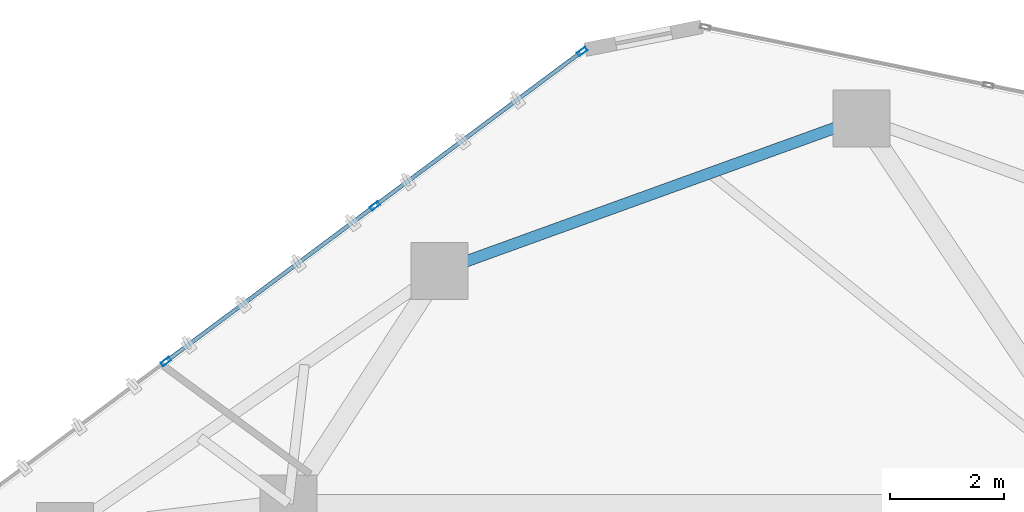
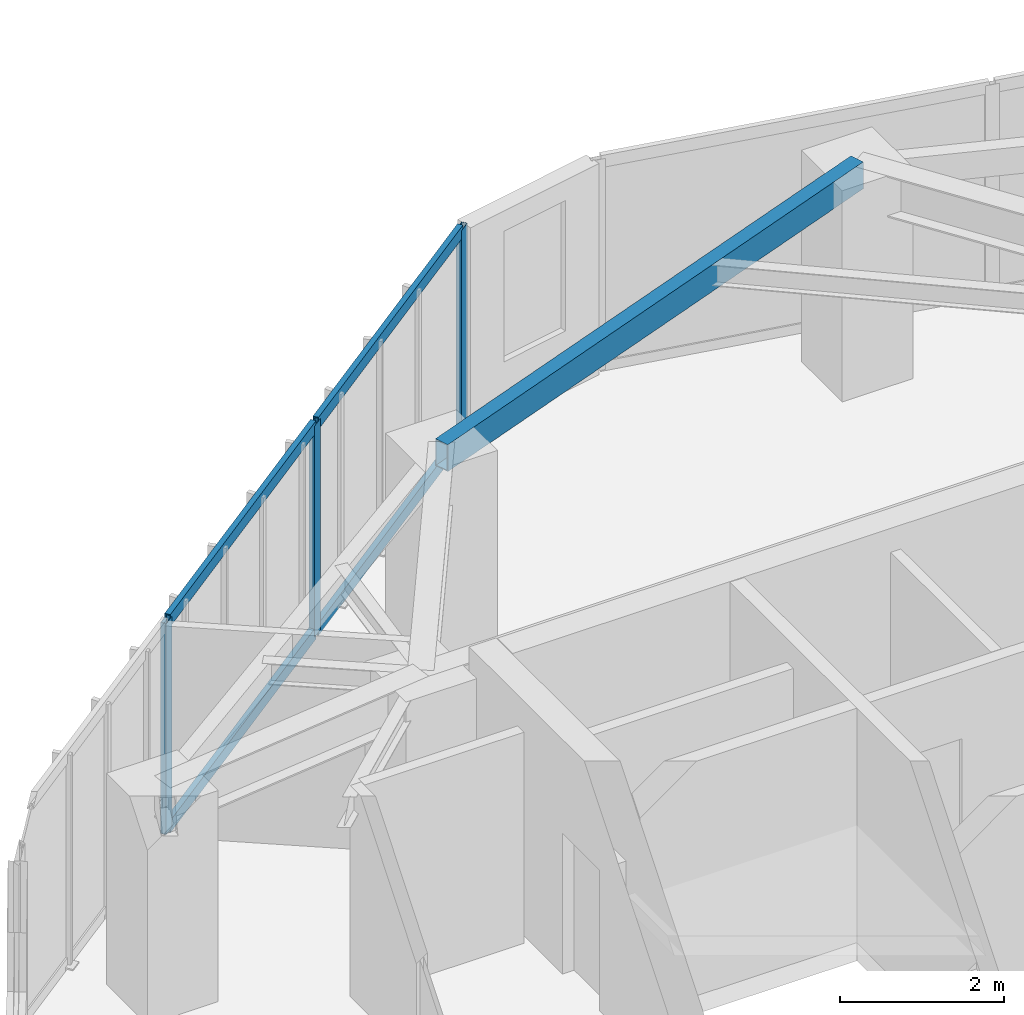
# One storey, part 13 of 20: 7 members, 1 beam, 1 element without a shape of its own.
"""IFC4 building model written with IfcOpenShell, lengths in metres."""

from ifc_helpers import new_model, si_unit, direction, frame, origin, origin_2d, place, context, subcontext, project, spatial, hollow_rectangle, extrude, source, transform, mapped, material, layer, layer_set, material_profile, profile_set, type_object, type_shapes, element, aggregate, save


model = new_model("IFC4")

# Units and contexts
model_context = context("Model", 3, precision=1e-05, world=origin(), true_north=direction((0.0, 1.0)))
body_context = subcontext(model_context, "Body", "Model", "MODEL_VIEW")
ifc_project = project(units=[si_unit("LENGTHUNIT", "METRE"), si_unit("AREAUNIT", "SQUARE_METRE"), si_unit("VOLUMEUNIT", "CUBIC_METRE"), si_unit("PLANEANGLEUNIT", "RADIAN"), si_unit("MASSUNIT", "GRAM", prefix="KILO")], contexts=[model_context])

# Site, building, storey
site_placement = place(None, origin())
site = spatial("IfcSite", under=ifc_project, at=site_placement, CompositionType="ELEMENT")
building_placement = place(site_placement, origin())
building = spatial("IfcBuilding", under=site, at=building_placement, Name="Talar Marvaseh", CompositionType="ELEMENT")
storey_placement = place(building_placement, frame((0.0, 0.0, 198.5)))
storey = spatial("IfcBuildingStorey", under=building, at=storey_placement, Name="L52", CompositionType="ELEMENT", Elevation=198.5)

# Beam
ifc_material_1 = material(Name="Steel S355", Category="steel")
ifc_material_profile_1 = material_profile(ifc_material_1, hollow_rectangle(XDim=0.199951171875, YDim=0.39990234375, WallThickness=0.013916015625, at=origin_2d()), Name="RHS400x200x14")
ifc_profile_set_1 = profile_set([ifc_material_profile_1], Name="Steel S355")
beam_type = type_object("IfcBeamType", Name="Zone 3 Perimeter Spandrel Beam RHS400x200x14", PredefinedType="SPANDREL", material=ifc_profile_set_1)
beam_placement = place(storey_placement, frame((21.35205078125, 40.986083984375, 2.949951171875), z_axis=(0.940368006783, 0.340158803824, 0.0), x_axis=(-0.340158803824, 0.940368006783, 0.0)))
element("IfcBeam", 1, at=beam_placement, inside=storey, type_object=beam_type, Name="L52 Zone 3 Perimeter Spandrel Beam RHS400x200x14", PredefinedType="SPANDREL", context=body_context, shape_type="SweptSolid", body=[
    extrude(hollow_rectangle(XDim=0.199951171875, YDim=0.39990234375, WallThickness=0.013916015625, at=origin_2d()), origin(), (0.0, 0.0, 1.0), 7.88427734375),
])

# Curtain wall, members
ifc_material_2 = material(Name="Architectural Aluminium", Category="aluminium")
ifc_layer = layer(ifc_material_2, 0.18994140625)
ifc_layer_set = layer_set([ifc_layer], Name="Architectural Aluminium")
curtain_wall_type = type_object("IfcCurtainWallType", Name="Unitised Solar Atelier Curtain Wall Z3", PredefinedType="NOTDEFINED", material=ifc_layer_set)
curtain_wall_placement = place(storey_placement, origin())
curtain_wall = element("IfcCurtainWall", 2, at=curtain_wall_placement, inside=storey, type_object=curtain_wall_type, Name="L52 Unitised Solar Atelier Curtain Wall Z3", PredefinedType="NOTDEFINED")
ifc_material_profile_2 = material_profile(ifc_material_2, hollow_rectangle(XDim=0.074951171875, YDim=0.179931640625, WallThickness=0.0048828125, at=origin_2d()), Name="RHS180x75x5")
ifc_profile_set_2 = profile_set([ifc_material_profile_2], Name="Architectural Aluminium")
member_type_1 = type_object("IfcMemberType", Name="Unitised Curtain Wall Transom RHS180x75x5", PredefinedType="USERDEFINED", material=ifc_profile_set_2)
shared_shape_1 = source(origin(), body_context, "Body", "SweptSolid", [
    extrude(hollow_rectangle(XDim=0.074951171875, YDim=0.179931640625, WallThickness=0.0048828125, at=origin_2d()), origin(), (0.0, 0.0, 1.0), 4.502197265625),
])
member_1_placement = place(storey_placement, frame((16.57861328125, 39.41748046875, 0.03759765625), z_axis=(0.80196738466, 0.597367821314, 0.0), x_axis=(-0.597367821314, 0.80196738466, 0.0)))
member_1 = element("IfcMember", 3, at=member_1_placement, type_object=member_type_1, Name="CW-Z3 transom 2.1", ObjectType="TRANSOM", PredefinedType="USERDEFINED", context=body_context, shape_type="MappedRepresentation", body=[
    mapped(shared_shape_1, transform((0.0, 0.0, 0.0), x_axis=(1.0, 0.0, 0.0), y_axis=(0.0, 1.0, 0.0), z_axis=(0.0, 0.0, 1.0), scale=1.0)),
])
member_2_placement = place(storey_placement, frame((16.57861328125, 39.41748046875, 3.112548828125), z_axis=(0.80196738466, 0.597367821314, 0.0), x_axis=(-0.597367821314, 0.80196738466, 0.0)))
member_2 = element("IfcMember", 4, at=member_2_placement, type_object=member_type_1, Name="CW-Z3 transom 2.2", ObjectType="TRANSOM", PredefinedType="USERDEFINED", context=body_context, shape_type="MappedRepresentation", body=[
    mapped(shared_shape_1, transform((0.0, 0.0, 0.0), x_axis=(1.0, 0.0, 0.0), y_axis=(0.0, 1.0, 0.0), z_axis=(0.0, 0.0, 1.0), scale=1.0)),
])
ifc_material_profile_3 = material_profile(ifc_material_2, hollow_rectangle(XDim=0.074951171875, YDim=0.179931640625, WallThickness=0.0048828125, at=origin_2d()), Name="RHS180x75x5")
ifc_profile_set_3 = profile_set([ifc_material_profile_3], Name="Architectural Aluminium")
member_type_2 = type_object("IfcMemberType", Name="Unitised Curtain Wall Standard Mullion RHS180x75x5", PredefinedType="MULLION", material=ifc_profile_set_3)
shared_shape_2 = source(origin(), body_context, "Body", "SweptSolid", [
    extrude(hollow_rectangle(XDim=0.074951171875, YDim=0.179931640625, WallThickness=0.0048828125, at=origin_2d()), origin(), (0.0, 0.0, 1.0), 3.14990234375),
])
type_shapes(member_type_2, [shared_shape_2])
member_3_placement = place(storey_placement, frame((16.548583984375, 39.39501953125, 0.0), z_axis=(0.0, 0.0, 1.0), x_axis=(-0.597376277836, 0.801961085514, 0.0)))
member_3 = element("IfcMember", 5, at=member_3_placement, type_object=member_type_2, Name="CW-Z3 mullion 2", PredefinedType="MULLION", context=body_context, shape_type="MappedRepresentation", body=[
    mapped(shared_shape_2, transform((0.0, 0.0, 0.0), x_axis=(1.0, 0.0, 0.0), y_axis=(0.0, 1.0, 0.0), z_axis=(0.0, 0.0, 1.0), scale=1.0)),
])
member_4_placement = place(storey_placement, frame((20.21923828125, 42.12939453125, 0.0), z_axis=(0.0, 0.0, 1.0), x_axis=(-0.597376277836, 0.801961085514, 0.0)))
member_4 = element("IfcMember", 6, at=member_4_placement, type_object=member_type_2, Name="CW-Z3 mullion 3", PredefinedType="MULLION", context=body_context, shape_type="MappedRepresentation", body=[
    mapped(shared_shape_2, transform((0.0, 0.0, 0.0), x_axis=(1.0, 0.0, 0.0), y_axis=(0.0, 1.0, 0.0), z_axis=(0.0, 0.0, 1.0), scale=1.0)),
])
member_5_placement = place(storey_placement, frame((23.860107421875, 44.84130859375, 0.0), z_axis=(0.0, 0.0, 1.0), x_axis=(-0.597376277836, 0.801961085514, 0.0)))
member_5 = element("IfcMember", 7, at=member_5_placement, type_object=member_type_2, Name="CW-Z3 mullion 4", PredefinedType="MULLION", context=body_context, shape_type="MappedRepresentation", body=[
    mapped(shared_shape_2, transform((0.0, 0.0, 0.0), x_axis=(1.0, 0.0, 0.0), y_axis=(0.0, 1.0, 0.0), z_axis=(0.0, 0.0, 1.0), scale=1.0)),
])
shared_shape_3 = source(origin(), body_context, "Body", "SweptSolid", [
    extrude(hollow_rectangle(XDim=0.074951171875, YDim=0.179931640625, WallThickness=0.0048828125, at=origin_2d()), origin(), (0.0, 0.0, 1.0), 4.46435546875),
])
type_shapes(member_type_1, [shared_shape_1, shared_shape_3])
member_6_placement = place(storey_placement, frame((20.24951171875, 42.15185546875, 0.03759765625), z_axis=(0.801957825807, 0.597380653878, 0.0), x_axis=(-0.597380653878, 0.801957825807, 0.0)))
member_6 = element("IfcMember", 8, at=member_6_placement, type_object=member_type_1, Name="CW-Z3 transom 3.1", ObjectType="TRANSOM", PredefinedType="USERDEFINED", context=body_context, shape_type="MappedRepresentation", body=[
    mapped(shared_shape_3, transform((0.0, 0.0, 0.0), x_axis=(1.0, 0.0, 0.0), y_axis=(0.0, 1.0, 0.0), z_axis=(0.0, 0.0, 1.0), scale=1.0)),
])
member_7_placement = place(storey_placement, frame((20.24951171875, 42.15185546875, 3.112548828125), z_axis=(0.801957825807, 0.597380653878, 0.0), x_axis=(-0.597380653878, 0.801957825807, 0.0)))
member_7 = element("IfcMember", 9, at=member_7_placement, type_object=member_type_1, Name="CW-Z3 transom 3.2", ObjectType="TRANSOM", PredefinedType="USERDEFINED", context=body_context, shape_type="MappedRepresentation", body=[
    mapped(shared_shape_3, transform((0.0, 0.0, 0.0), x_axis=(1.0, 0.0, 0.0), y_axis=(0.0, 1.0, 0.0), z_axis=(0.0, 0.0, 1.0), scale=1.0)),
])
aggregate(curtain_wall, [member_3, member_4, member_5, member_1, member_2, member_6, member_7])

save(model, "model.ifc")
